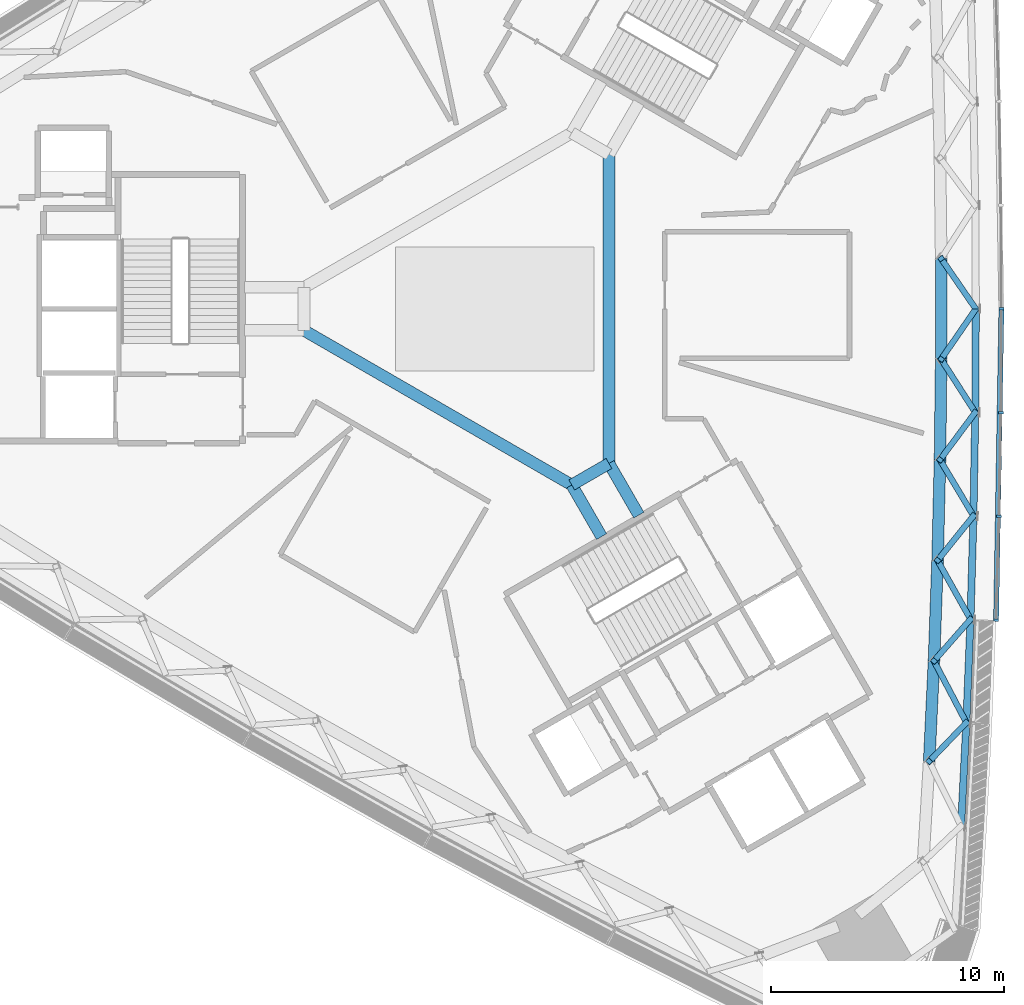
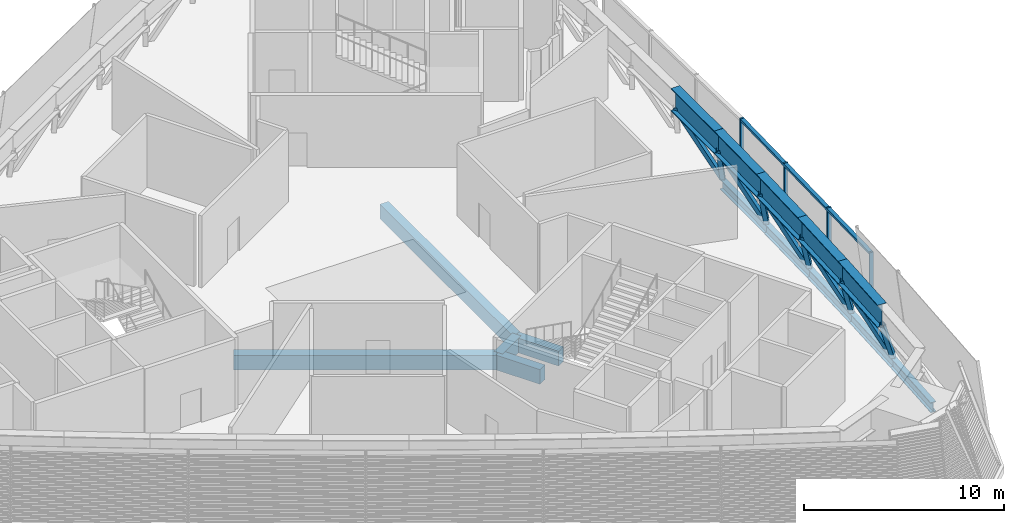
# One storey, part 2 of 17: 15 beams, 15 members, 1 element without a shape of its own.
"""IFC4 building model written with IfcOpenShell, lengths in metres."""

from ifc_helpers import new_model, si_unit, direction, frame, origin, origin_2d, place, context, subcontext, project, spatial, rectangle, hollow_rectangle, i_section, extrude, material, material_profile, profile_set, type_object, element, aggregate, save


model = new_model("IFC4")

# Units and contexts
model_context = context("Model", 3, precision=1e-05, world=origin(), true_north=direction((0.0, 1.0)))
body_context = subcontext(model_context, "Body", "Model", "MODEL_VIEW")
ifc_project = project(units=[si_unit("LENGTHUNIT", "METRE"), si_unit("AREAUNIT", "SQUARE_METRE"), si_unit("VOLUMEUNIT", "CUBIC_METRE"), si_unit("PLANEANGLEUNIT", "RADIAN"), si_unit("MASSUNIT", "GRAM", prefix="KILO")], contexts=[model_context])

# Site, building, storey
site_placement = place(None, origin())
site = spatial("IfcSite", under=ifc_project, at=site_placement, CompositionType="ELEMENT")
building_placement = place(site_placement, origin())
building = spatial("IfcBuilding", under=site, at=building_placement, Name="Tamra Quay Hotel Tower", CompositionType="ELEMENT")
storey_placement = place(building_placement, frame((0.0, 0.0, 119.0)))
storey = spatial("IfcBuildingStorey", under=building, at=storey_placement, Name="L29", CompositionType="ELEMENT", Elevation=119.0)

# Beams
ifc_material_1 = material(Name="Concrete M60", Category="concrete")
ifc_material_profile_1 = material_profile(ifc_material_1, rectangle(XDim=0.5, YDim=0.89990234375, at=origin_2d()), Name="ATRIUM EDGE BEAM RC 500x900")
ifc_profile_set_1 = profile_set([ifc_material_profile_1], Name="Concrete M60")
beam_type_1 = type_object("IfcBeamType", Name="ATRIUM EDGE BEAM RC 500x900", PredefinedType="BEAM", material=ifc_profile_set_1)
beam_1_placement = place(storey_placement, frame((4.89990234375, 6.639404296875, -0.85009765625), z_axis=(0.0, -1.0, 0.0), x_axis=(1.0, 0.0, 0.0)))
element("IfcBeam", 1, at=beam_1_placement, inside=storey, type_object=beam_type_1, Name="BM-AB0-L29", PredefinedType="BEAM", context=body_context, shape_type="SweptSolid", body=[
    extrude(rectangle(XDim=0.5, YDim=0.89990234375, at=origin_2d()), origin(), (0.0, 0.0, 1.0), 13.27880859375),
])
beam_2_placement = place(storey_placement, frame((4.89990234375, -6.639404296875, -0.85009765625), z_axis=(-0.865989712182, -0.500061814573, 0.0), x_axis=(0.500061814573, -0.865989712182, 0.0)))
element("IfcBeam", 2, at=beam_2_placement, inside=storey, type_object=beam_type_1, Name="BM-AB1-L29", PredefinedType="BEAM", context=body_context, shape_type="SweptSolid", body=[
    extrude(rectangle(XDim=0.5, YDim=0.89990234375, at=origin_2d()), origin(), (0.0, 0.0, 1.0), 1.847412109375),
])
beam_3_placement = place(storey_placement, frame((3.300048828125, -7.563232421875, -0.85009765625), z_axis=(-0.866029440693, 0.499993007805, 0.0), x_axis=(-0.499993007805, -0.866029440693, 0.0)))
element("IfcBeam", 3, at=beam_3_placement, inside=storey, type_object=beam_type_1, Name="BM-AB2-L29", PredefinedType="BEAM", context=body_context, shape_type="SweptSolid", body=[
    extrude(rectangle(XDim=0.5, YDim=0.89990234375, at=origin_2d()), origin(), (0.0, 0.0, 1.0), 13.279052734375),
])
ifc_material_profile_2 = material_profile(ifc_material_1, rectangle(XDim=0.5, YDim=0.89990234375, at=origin_2d()), Name="ATRIUM TIE BEAM RC 500x900")
ifc_profile_set_2 = profile_set([ifc_material_profile_2], Name="Concrete M60")
beam_type_2 = type_object("IfcBeamType", Name="ATRIUM TIE BEAM RC 500x900", PredefinedType="BEAM", material=ifc_profile_set_2)
for number, where, z_axis, x_axis, name in (
    (4, (4.89990234375, -6.639404296875, -0.85009765625), (0.50003311468, -0.866006284171, 0.0), (0.866006284171, 0.50003311468, 0.0), "BM-TIE-1-L29"),
    (5, (3.300048828125, -7.563232421875, -0.85009765625), (0.499961652204, -0.866047542763, 0.0), (0.866047542763, 0.499961652204, 0.0), "BM-TIE-2-L29"),
):
    element("IfcBeam", number, at=place(storey_placement, frame(where, z_axis=z_axis, x_axis=x_axis)), inside=storey, type_object=beam_type_2, Name=name, PredefinedType="BEAM", context=body_context, shape_type="SweptSolid", body=[
        extrude(rectangle(XDim=0.5, YDim=0.89990234375, at=origin_2d()), origin(), (0.0, 0.0, 1.0), 2.562255859375),
    ])

# Members
ifc_material_2 = material(Name="Structural steel IS 2062 E350", Category="steel")
ifc_material_profile_3 = material_profile(ifc_material_2, hollow_rectangle(XDim=0.25, YDim=0.25, WallThickness=0.010009765625, at=origin_2d()), Name="SHS 250x250x10")
ifc_profile_set_3 = profile_set([ifc_material_profile_3], Name="Structural steel IS 2062 E350")
member_type_1 = type_object("IfcMemberType", Name="BELT BRACE SHS 250x250x10 Z2", PredefinedType="BRACE", material=ifc_profile_set_3)
member_1_placement = place(storey_placement, frame((20.2529296875, -17.773193359375, -0.39990234375), z_axis=(-0.377350659987, -0.394065444071, 0.838044691646), x_axis=(0.722258606702, -0.691623094644, 0.0)))
element("IfcMember", 6, at=member_1_placement, inside=storey, type_object=member_type_1, Name="BR-L29-003", PredefinedType="BRACE", context=body_context, shape_type="SweptSolid", body=[
    extrude(hollow_rectangle(XDim=0.25, YDim=0.25, WallThickness=0.010009765625, at=origin_2d()), origin(), (0.0, 0.0, 1.0), 4.23583984375),
])
member_2_placement = place(storey_placement, frame((20.2529296875, -17.773193359375, -0.39990234375), z_axis=(-0.299836733014, 0.570541661381, 0.764578410736), x_axis=(-0.885204754983, -0.465201614093, 0.0)))
element("IfcMember", 7, at=member_2_placement, inside=storey, type_object=member_type_1, Name="BR-L29-004", PredefinedType="BRACE", context=body_context, shape_type="SweptSolid", body=[
    extrude(hollow_rectangle(XDim=0.25, YDim=0.25, WallThickness=0.010009765625, at=origin_2d()), origin(), (0.0, 0.0, 1.0), 4.642822265625),
])
member_3_placement = place(storey_placement, frame((20.430419921875, -13.331787109375, -0.39990234375), z_axis=(-0.367132582374, -0.419270091739, 0.830316961848), x_axis=(0.752335431429, -0.658780235448, 0.0)))
element("IfcMember", 8, at=member_3_placement, inside=storey, type_object=member_type_1, Name="BR-L29-005", PredefinedType="BRACE", context=body_context, shape_type="SweptSolid", body=[
    extrude(hollow_rectangle(XDim=0.25, YDim=0.25, WallThickness=0.010009765625, at=origin_2d()), origin(), (0.0, 0.0, 1.0), 4.275146484375),
])
member_4_placement = place(storey_placement, frame((20.430419921875, -13.331787109375, -0.39990234375), z_axis=(-0.308766315016, 0.551612034299, 0.774846776032), x_axis=(-0.872598002374, -0.488439071177, 0.0)))
element("IfcMember", 9, at=member_4_placement, inside=storey, type_object=member_type_1, Name="BR-L29-006", PredefinedType="BRACE", context=body_context, shape_type="SweptSolid", body=[
    extrude(hollow_rectangle(XDim=0.25, YDim=0.25, WallThickness=0.010009765625, at=origin_2d()), origin(), (0.0, 0.0, 1.0), 4.581298828125),
])
member_5_placement = place(storey_placement, frame((20.557373046875, -8.888916015625, -0.39990234375), z_axis=(-0.356971871151, -0.443642425233, 0.822041654504), x_axis=(0.779102755568, -0.626896240431, 0.0)))
element("IfcMember", 10, at=member_5_placement, inside=storey, type_object=member_type_1, Name="BR-L29-007", PredefinedType="BRACE", context=body_context, shape_type="SweptSolid", body=[
    extrude(hollow_rectangle(XDim=0.25, YDim=0.25, WallThickness=0.010009765625, at=origin_2d()), origin(), (0.0, 0.0, 1.0), 4.318359375),
])
member_6_placement = place(storey_placement, frame((20.557373046875, -8.888916015625, -0.39990234375), z_axis=(-0.318001883609, 0.531820498611, 0.784883277487), x_axis=(-0.85826830809, -0.513201238627, 0.0)))
element("IfcMember", 11, at=member_6_placement, inside=storey, type_object=member_type_1, Name="BR-L29-008", PredefinedType="BRACE", context=body_context, shape_type="SweptSolid", body=[
    extrude(hollow_rectangle(XDim=0.25, YDim=0.25, WallThickness=0.010009765625, at=origin_2d()), origin(), (0.0, 0.0, 1.0), 4.522705078125),
])
member_7_placement = place(storey_placement, frame((20.633544921875, -4.44482421875, -0.39990234375), z_axis=(-0.346959965311, -0.467106669404, 0.813283555637), x_axis=(0.802771456939, -0.5962868336, 0.0)))
element("IfcMember", 12, at=member_7_placement, inside=storey, type_object=member_type_1, Name="BR-L29-009", PredefinedType="BRACE", context=body_context, shape_type="SweptSolid", body=[
    extrude(hollow_rectangle(XDim=0.25, YDim=0.25, WallThickness=0.010009765625, at=origin_2d()), origin(), (0.0, 0.0, 1.0), 4.36474609375),
])
member_8_placement = place(storey_placement, frame((20.633544921875, -4.44482421875, -0.39990234375), z_axis=(-0.327420561003, 0.511215477821, 0.794641121179), x_axis=(-0.842089873196, -0.539337227958, 0.0)))
element("IfcMember", 13, at=member_8_placement, inside=storey, type_object=member_type_1, Name="BR-L29-010", PredefinedType="BRACE", context=body_context, shape_type="SweptSolid", body=[
    extrude(hollow_rectangle(XDim=0.25, YDim=0.25, WallThickness=0.010009765625, at=origin_2d()), origin(), (0.0, 0.0, 1.0), 4.46728515625),
])
for number, where, z_axis, x_axis, name in (
    (14, (20.658935546875, 0.0, -0.39990234375), (-0.337096266012, -0.489577710704, 0.80416402097), (0.823639917783, -0.567113115555, 0.0), "BR-L29-011"),
    (15, (20.658935546875, 0.0, -0.39990234375), (-0.337096266012, 0.489577710704, 0.80416402097), (-0.823639917783, -0.567113115555, 0.0), "BR-L29-012"),
):
    element("IfcMember", number, at=place(storey_placement, frame(where, z_axis=z_axis, x_axis=x_axis)), inside=storey, type_object=member_type_1, Name=name, PredefinedType="BRACE", context=body_context, shape_type="SweptSolid", body=[
        extrude(hollow_rectangle(XDim=0.25, YDim=0.25, WallThickness=0.010009765625, at=origin_2d()), origin(), (0.0, 0.0, 1.0), 4.414306640625),
    ])

# Beams
ifc_material_profile_4 = material_profile(ifc_material_2, i_section(OverallWidth=0.304931640625, OverallDepth=0.6201171875, WebThickness=0.02099609375, FlangeThickness=0.0400390625, at=origin_2d()), Name="WPB 600x300x285")
ifc_profile_set_4 = profile_set([ifc_material_profile_4], Name="Structural steel IS 2062 E350")
beam_type_3 = type_object("IfcBeamType", Name="BELT CHORD WPB 600x300x285 Z2", PredefinedType="BEAM", material=ifc_profile_set_4)
beam_4_placement = place(storey_placement, frame((20.02490234375, -22.212158203125, -0.7099609375), z_axis=(0.051301842631, 0.998683193482, 0.0), x_axis=(-0.998683193482, 0.051301842631, 0.0)))
element("IfcBeam", 16, at=beam_4_placement, inside=storey, type_object=beam_type_3, Name="BM-CHB-L29-001", PredefinedType="BEAM", context=body_context, shape_type="SweptSolid", body=[
    extrude(i_section(OverallWidth=0.304931640625, OverallDepth=0.6201171875, WebThickness=0.02099609375, FlangeThickness=0.0400390625, at=origin_2d()), origin(), (0.0, 0.0, 1.0), 4.44482421875),
])
beam_5_placement = place(storey_placement, frame((20.2529296875, -17.773193359375, -0.7099609375), z_axis=(0.039930748728, 0.99920244961, 0.0), x_axis=(-0.99920244961, 0.039930748728, 0.0)))
element("IfcBeam", 17, at=beam_5_placement, inside=storey, type_object=beam_type_3, Name="BM-CHB-L29-002", PredefinedType="BEAM", context=body_context, shape_type="SweptSolid", body=[
    extrude(i_section(OverallWidth=0.304931640625, OverallDepth=0.6201171875, WebThickness=0.02099609375, FlangeThickness=0.0400390625, at=origin_2d()), origin(), (0.0, 0.0, 1.0), 4.445068359375),
])
beam_6_placement = place(storey_placement, frame((20.430419921875, -13.331787109375, -0.7099609375), z_axis=(0.02856291012, 0.999591996849, 0.0), x_axis=(-0.999591996849, 0.02856291012, 0.0)))
element("IfcBeam", 18, at=beam_6_placement, inside=storey, type_object=beam_type_3, Name="BM-CHB-L29-003", PredefinedType="BEAM", context=body_context, shape_type="SweptSolid", body=[
    extrude(i_section(OverallWidth=0.304931640625, OverallDepth=0.6201171875, WebThickness=0.02099609375, FlangeThickness=0.0400390625, at=origin_2d()), origin(), (0.0, 0.0, 1.0), 4.444580078125),
])
for number, where, z_axis, x_axis, name in (
    (19, (20.557373046875, -8.888916015625, -0.7099609375), (0.017137514712, 0.999853142011, 0.0), (-0.999853142011, 0.017137514712, 0.0), "BM-CHB-L29-004"),
    (20, (20.633544921875, -4.44482421875, -0.7099609375), (0.005712309305, 0.999983684628, 0.0), (-0.999983684628, 0.005712309305, 0.0), "BM-CHB-L29-005"),
):
    element("IfcBeam", number, at=place(storey_placement, frame(where, z_axis=z_axis, x_axis=x_axis)), inside=storey, type_object=beam_type_3, Name=name, PredefinedType="BEAM", context=body_context, shape_type="SweptSolid", body=[
        extrude(i_section(OverallWidth=0.304931640625, OverallDepth=0.6201171875, WebThickness=0.02099609375, FlangeThickness=0.0400390625, at=origin_2d()), origin(), (0.0, 0.0, 1.0), 4.44482421875),
    ])
ifc_material_profile_5 = material_profile(ifc_material_2, i_section(OverallWidth=0.5, OverallDepth=1.39990234375, WebThickness=0.02490234375, FlangeThickness=0.050048828125, at=origin_2d()), Name="WPG 1400x500x25x50")
ifc_profile_set_5 = profile_set([ifc_material_profile_5], Name="Structural steel IS 2062 E350")
beam_type_4 = type_object("IfcBeamType", Name="BELT TOP CHORD WPG 1400x500x25x50 Z2", PredefinedType="USERDEFINED", material=ifc_profile_set_5)
beam_7_placement = place(storey_placement, frame((18.654541015625, -19.4423828125, 3.699951171875), z_axis=(0.047720772552, 0.998860714948, 0.0), x_axis=(-0.998860714948, 0.047720772552, 0.0)))
element("IfcBeam", 21, at=beam_7_placement, inside=storey, type_object=beam_type_4, Name="BM-CHT-L29-001", ObjectType="TRANSFER GIRDER", PredefinedType="USERDEFINED", context=body_context, shape_type="SweptSolid", body=[
    extrude(i_section(OverallWidth=0.5, OverallDepth=1.39990234375, WebThickness=0.02490234375, FlangeThickness=0.050048828125, at=origin_2d()), origin(), (0.0, 0.0, 1.0), 4.322998046875),
])
for number, where, z_axis, x_axis, name in (
    (22, (18.86083984375, -15.124267578125, 3.699951171875), (0.035866807647, 0.999356579059, 0.0), (-0.999356579059, 0.035866807647, 0.0), "BM-CHT-L29-002"),
    (23, (19.015869140625, -10.8046875, 3.699951171875), (0.023892832606, 0.999714525527, 0.0), (-0.999714525527, 0.023892832606, 0.0), "BM-CHT-L29-003"),
):
    element("IfcBeam", number, at=place(storey_placement, frame(where, z_axis=z_axis, x_axis=x_axis)), inside=storey, type_object=beam_type_4, Name=name, ObjectType="TRANSFER GIRDER", PredefinedType="USERDEFINED", context=body_context, shape_type="SweptSolid", body=[
        extrude(i_section(OverallWidth=0.5, OverallDepth=1.39990234375, WebThickness=0.02490234375, FlangeThickness=0.050048828125, at=origin_2d()), origin(), (0.0, 0.0, 1.0), 4.322265625),
    ])
beam_8_placement = place(storey_placement, frame((19.119140625, -6.483642578125, 3.699951171875), z_axis=(0.011973160331, 0.999928319147, 0.0), x_axis=(-0.999928319147, 0.011973160331, 0.0)))
element("IfcBeam", 24, at=beam_8_placement, inside=storey, type_object=beam_type_4, Name="BM-CHT-L29-004", ObjectType="TRANSFER GIRDER", PredefinedType="USERDEFINED", context=body_context, shape_type="SweptSolid", body=[
    extrude(i_section(OverallWidth=0.5, OverallDepth=1.39990234375, WebThickness=0.02490234375, FlangeThickness=0.050048828125, at=origin_2d()), origin(), (0.0, 0.0, 1.0), 4.32275390625),
])
beam_9_placement = place(storey_placement, frame((19.1708984375, -2.1611328125, 3.699951171875), z_axis=(0.0, 1.0, 0.0), x_axis=(-1.0, 0.0, 0.0)))
element("IfcBeam", 25, at=beam_9_placement, inside=storey, type_object=beam_type_4, Name="BM-CHT-L29-005", ObjectType="TRANSFER GIRDER", PredefinedType="USERDEFINED", context=body_context, shape_type="SweptSolid", body=[
    extrude(i_section(OverallWidth=0.5, OverallDepth=1.39990234375, WebThickness=0.02490234375, FlangeThickness=0.050048828125, at=origin_2d()), origin(), (0.0, 0.0, 1.0), 4.322265625),
])

# Curtain wall, members
ifc_material_3 = material(Name="Aluminium 6063 anodised dark grey", Category="aluminium")
curtain_wall_type = type_object("IfcCurtainWallType", Name="CW1 CURTAIN WALL", PredefinedType="NOTDEFINED", material=ifc_material_3)
curtain_wall_placement = place(storey_placement, origin())
curtain_wall = element("IfcCurtainWall", 26, at=curtain_wall_placement, inside=storey, type_object=curtain_wall_type, Name="CW1 east face L29", PredefinedType="NOTDEFINED")
ifc_material_profile_6 = material_profile(ifc_material_3, rectangle(XDim=0.219970703125, YDim=0.10009765625, at=origin_2d()), Name="MULLION 100X220")
ifc_profile_set_6 = profile_set([ifc_material_profile_6], Name="Aluminium 6063 anodised dark grey")
member_type_2 = type_object("IfcMemberType", Name="MULLION CW1 Z2", PredefinedType="MULLION", material=ifc_profile_set_6)
member_9_placement = place(storey_placement, frame((21.52978515625, -13.36962890625, 0.0), z_axis=(0.0, 0.0, 1.0), x_axis=(0.999413451624, -0.034245477264, 0.0)))
member_9 = element("IfcMember", 27, at=member_9_placement, type_object=member_type_2, Name="CW1 mullion L29.E.1", PredefinedType="MULLION", context=body_context, shape_type="SweptSolid", body=[
    extrude(rectangle(XDim=0.219970703125, YDim=0.10009765625, at=origin_2d()), origin(), (0.0, 0.0, 1.0), 2.89990234375),
])
member_10_placement = place(storey_placement, frame((21.6572265625, -8.9140625, 0.0), z_axis=(0.0, 0.0, 1.0), x_axis=(0.999739124159, -0.0228403946, 0.0)))
member_10 = element("IfcMember", 28, at=member_10_placement, type_object=member_type_2, Name="CW1 mullion L29.E.2", PredefinedType="MULLION", context=body_context, shape_type="SweptSolid", body=[
    extrude(rectangle(XDim=0.219970703125, YDim=0.10009765625, at=origin_2d()), origin(), (0.0, 0.0, 1.0), 2.89990234375),
])
member_11_placement = place(storey_placement, frame((21.7333984375, -4.457275390625, 0.0), z_axis=(0.0, 0.0, 1.0), x_axis=(0.999934750231, -0.011423453115, 0.0)))
member_11 = element("IfcMember", 29, at=member_11_placement, type_object=member_type_2, Name="CW1 mullion L29.E.3", PredefinedType="MULLION", context=body_context, shape_type="SweptSolid", body=[
    extrude(rectangle(XDim=0.219970703125, YDim=0.10009765625, at=origin_2d()), origin(), (0.0, 0.0, 1.0), 2.89990234375),
])
member_12_placement = place(storey_placement, frame((21.759033203125, 0.0, 0.0), z_axis=(0.0, 0.0, 1.0), x_axis=(1.0, 0.0, 0.0)))
member_12 = element("IfcMember", 30, at=member_12_placement, type_object=member_type_2, Name="CW1 mullion L29.E.4", PredefinedType="MULLION", context=body_context, shape_type="SweptSolid", body=[
    extrude(rectangle(XDim=0.219970703125, YDim=0.10009765625, at=origin_2d()), origin(), (0.0, 0.0, 1.0), 2.89990234375),
])
ifc_material_profile_7 = material_profile(ifc_material_3, rectangle(XDim=0.219970703125, YDim=0.139892578125, at=origin_2d()), Name="TRANSOM 220X140")
ifc_profile_set_7 = profile_set([ifc_material_profile_7], Name="Aluminium 6063 anodised dark grey")
member_type_3 = type_object("IfcMemberType", Name="TRANSOM CW1 Z2", PredefinedType="USERDEFINED", material=ifc_profile_set_7)
member_13_placement = place(storey_placement, frame((21.53125, -13.319580078125, 2.830078125), z_axis=(0.017144962639, 0.999853014326, 0.0), x_axis=(-0.999853014326, 0.017144962639, 0.0)))
member_13 = element("IfcMember", 31, at=member_13_placement, type_object=member_type_3, Name="CW1 transom L29.E.1", ObjectType="TRANSOM", PredefinedType="USERDEFINED", context=body_context, shape_type="SweptSolid", body=[
    extrude(rectangle(XDim=0.219970703125, YDim=0.139892578125, at=origin_2d()), origin(), (0.0, 0.0, 1.0), 13.271484375),
])
aggregate(curtain_wall, [member_9, member_13, member_10, member_11, member_12])

save(model, "model.ifc")
